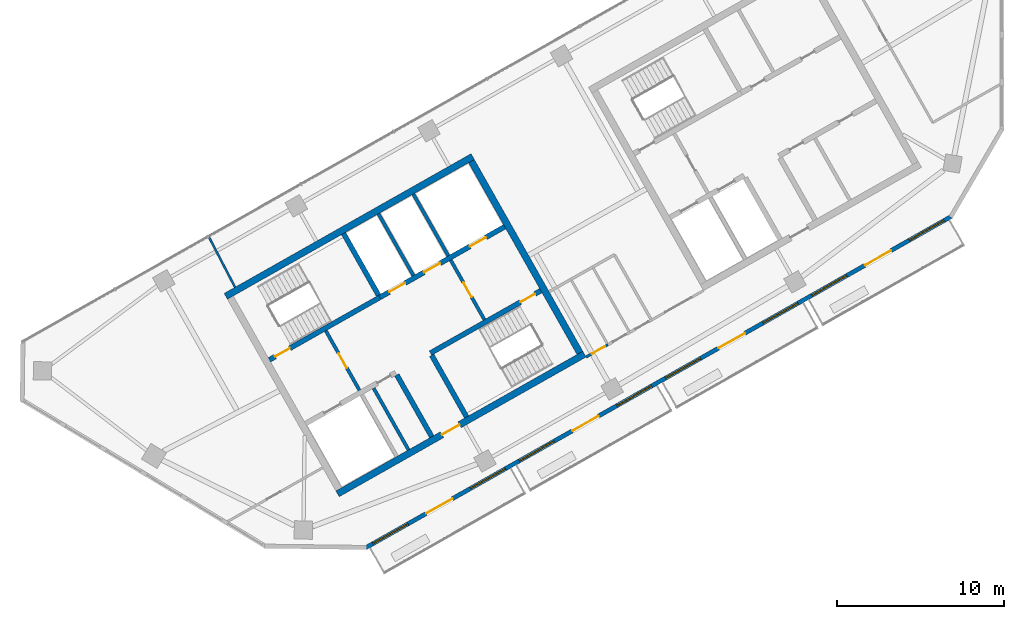
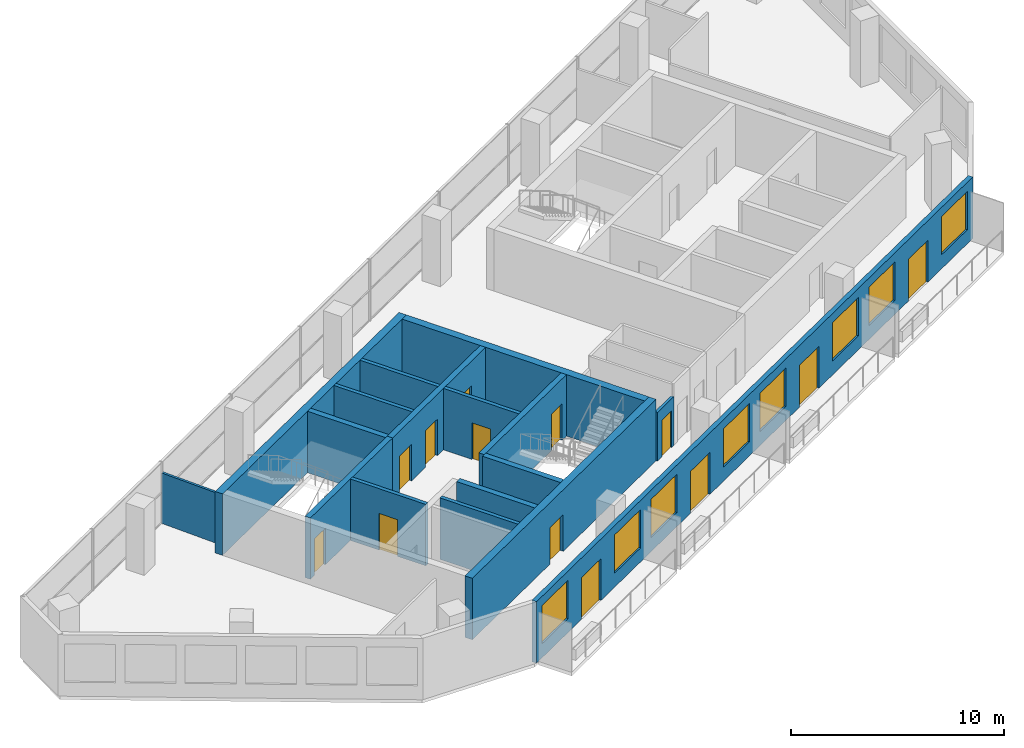
# One storey, part 6 of 10: 17 walls, 13 doors, 8 windows, 21 openings.
"""IFC4 building model written with IfcOpenShell, lengths in metres."""

from ifc_helpers import new_model, si_unit, direction, frame, frame_2d, origin, place, context, subcontext, project, spatial, rectangle, extrude, material, layer, layer_set, type_object, element, fill, save


model = new_model("IFC4")

# Units and contexts
model_context = context("Model", 3, precision=1e-05, world=origin(), true_north=direction((0.0, 1.0)))
body_context = subcontext(model_context, "Body", "Model", "MODEL_VIEW")
ifc_project = project(units=[si_unit("LENGTHUNIT", "METRE"), si_unit("AREAUNIT", "SQUARE_METRE"), si_unit("VOLUMEUNIT", "CUBIC_METRE"), si_unit("PLANEANGLEUNIT", "RADIAN"), si_unit("MASSUNIT", "GRAM", prefix="KILO")], contexts=[model_context])

# Site, building, storey
site_placement = place(None, origin())
site = spatial("IfcSite", under=ifc_project, at=site_placement, CompositionType="ELEMENT")
building_placement = place(site_placement, origin())
building = spatial("IfcBuilding", under=site, at=building_placement, Name="Binnacle Exchange Tower", CompositionType="ELEMENT")
storey_placement = place(building_placement, frame((0.0, 0.0, 320.300048828125)))
storey = spatial("IfcBuildingStorey", under=building, at=storey_placement, Name="L72", CompositionType="ELEMENT", Elevation=320.300048828125)

# Wall, openings, doors
ifc_material_1 = material(Name="Concrete C70/85", Category="concrete")
ifc_layer_1 = layer(ifc_material_1, 0.300048828125)
ifc_layer_set_1 = layer_set([ifc_layer_1], Name="Core wall - front 300")
wall_type_1 = type_object("IfcWallType", Name="Core wall - front 300", PredefinedType="SOLIDWALL", material=ifc_layer_set_1)
wall_1_placement = place(storey_placement, frame((-37.281982421875, 41.4345703125, 0.0), z_axis=(0.0, 0.0, 1.0), x_axis=(0.870361315115, 0.492413628113, 0.0)))
wall_1 = element("IfcWall", 1, at=wall_1_placement, inside=storey, type_object=wall_type_1, Name="Core wall CRWA5", PredefinedType="SOLIDWALL", context=body_context, shape_type="SweptSolid", body=[
    extrude(rectangle(XDim=8.599609375, YDim=0.300048828125, at=frame_2d((4.2998046875, 0.0))), origin(), (0.0, 0.0, 1.0), 3.52001953125),
])
opening_1_placement = place(wall_1_placement, frame((0.650146484375, 0.0, 0.0)))
opening_1 = element("IfcOpeningElement", 2, at=opening_1_placement, cuts=wall_1, Name="Opening LD9", PredefinedType="OPENING", context=body_context, shape_type="SweptSolid", body=[
    extrude(rectangle(XDim=1.10009765625, YDim=2.10009765625, at=frame_2d((0.550048828125, 1.050048828125))), frame((0.0, 0.159912109375, 0.0), z_axis=(0.0, -1.0, 0.0), x_axis=(1.0, 0.0, 0.0)), (0.0, 0.0, 1.0), 0.320068359375),
])
opening_2_placement = place(wall_1_placement, frame((3.050048828125, 0.0, 0.0)))
opening_2 = element("IfcOpeningElement", 3, at=opening_2_placement, cuts=wall_1, Name="Opening LD10", PredefinedType="OPENING", context=body_context, shape_type="SweptSolid", body=[
    extrude(rectangle(XDim=1.10009765625, YDim=2.10009765625, at=frame_2d((0.550048828125, 1.050048828125))), frame((0.0, 0.159912109375, 0.0), z_axis=(0.0, -1.0, 0.0), x_axis=(1.0, 0.0, 0.0)), (0.0, 0.0, 1.0), 0.320068359375),
])
opening_3_placement = place(wall_1_placement, frame((6.199951171875, 0.0, 0.0)))
opening_3 = element("IfcOpeningElement", 4, at=opening_3_placement, cuts=wall_1, Name="Opening LD13", PredefinedType="OPENING", context=body_context, shape_type="SweptSolid", body=[
    extrude(rectangle(XDim=1.10009765625, YDim=2.10009765625, at=frame_2d((0.550048828125, 1.050048828125))), frame((0.0, 0.159912109375, 0.0), z_axis=(0.0, -1.0, 0.0), x_axis=(1.0, 0.0, 0.0)), (0.0, 0.0, 1.0), 0.320068359375),
])
ifc_material_2 = material(Name="Steel door leaf", Category="steel")
door_type_1 = type_object("IfcDoorType", Name="Fire door - lift landing 1100", OperationType="NOTDEFINED", PredefinedType="DOOR", material=ifc_material_2)
door_1_placement = place(opening_1_placement, origin())
door_1 = element("IfcDoor", 5, at=door_1_placement, inside=storey, type_object=door_type_1, Name="Landing door LD9 L72", OperationType="DOUBLE_DOOR_SLIDING", OverallHeight=2.10009765625, OverallWidth=1.10009765625, PredefinedType="DOOR", context=body_context, shape_type="SweptSolid", body=[
    extrude(rectangle(XDim=1.10009765625, YDim=2.10009765625, at=frame_2d((0.550048828125, 1.050048828125))), frame((0.0, 0.02490234375, 0.0), z_axis=(0.0, -1.0, 0.0), x_axis=(1.0, 0.0, 0.0)), (0.0, 0.0, 1.0), 0.050048828125),
])
fill(opening_1, door_1)
door_2_placement = place(opening_2_placement, origin())
door_2 = element("IfcDoor", 6, at=door_2_placement, inside=storey, type_object=door_type_1, Name="Landing door LD10 L72", OperationType="DOUBLE_DOOR_SLIDING", OverallHeight=2.10009765625, OverallWidth=1.10009765625, PredefinedType="DOOR", context=body_context, shape_type="SweptSolid", body=[
    extrude(rectangle(XDim=1.10009765625, YDim=2.10009765625, at=frame_2d((0.550048828125, 1.050048828125))), frame((0.0, 0.02490234375, 0.0), z_axis=(0.0, -1.0, 0.0), x_axis=(1.0, 0.0, 0.0)), (0.0, 0.0, 1.0), 0.050048828125),
])
fill(opening_2, door_2)
door_3_placement = place(opening_3_placement, origin())
door_3 = element("IfcDoor", 7, at=door_3_placement, inside=storey, type_object=door_type_1, Name="Landing door LD13 L72", OperationType="DOUBLE_DOOR_SLIDING", OverallHeight=2.10009765625, OverallWidth=1.10009765625, PredefinedType="DOOR", context=body_context, shape_type="SweptSolid", body=[
    extrude(rectangle(XDim=1.10009765625, YDim=2.10009765625, at=frame_2d((0.550048828125, 1.050048828125))), frame((0.0, 0.02490234375, 0.0), z_axis=(0.0, -1.0, 0.0), x_axis=(1.0, 0.0, 0.0)), (0.0, 0.0, 1.0), 0.050048828125),
])
fill(opening_3, door_3)

# Wall
wall_2_placement = place(storey_placement, frame((-36.260009765625, 36.784912109375, 0.0), z_axis=(0.0, 0.0, 1.0), x_axis=(0.492422543467, -0.870356271124, 0.0)))
element("IfcWall", 8, at=wall_2_placement, inside=storey, type_object=wall_type_1, Name="Core wall CRWA13", PredefinedType="SOLIDWALL", context=body_context, shape_type="SweptSolid", body=[
    extrude(rectangle(XDim=4.25, YDim=0.300048828125, at=frame_2d((2.125, 0.0))), origin(), (0.0, 0.0, 1.0), 3.52001953125),
])

# Wall, opening, door
ifc_layer_2 = layer(ifc_material_1, 0.39990234375)
ifc_layer_set_2 = layer_set([ifc_layer_2], Name="Core wall - outer 400")
wall_type_2 = type_object("IfcWallType", Name="Core wall - outer 400", PredefinedType="SOLIDWALL", material=ifc_layer_set_2)
wall_3_placement = place(storey_placement, frame((-39.81298828125, 29.661865234375, 0.0), z_axis=(0.0, 0.0, 1.0), x_axis=(0.870350116061, 0.492433422375, 0.0)))
wall_3 = element("IfcWall", 9, at=wall_3_placement, inside=storey, type_object=wall_type_2, Name="Core wall CRWA1", PredefinedType="SOLIDWALL", context=body_context, shape_type="SweptSolid", body=[
    extrude(rectangle(XDim=17.0, YDim=0.39990234375, at=frame_2d((8.5, 0.0))), origin(), (0.0, 0.0, 1.0), 3.52001953125),
])
opening_4_placement = place(wall_3_placement, frame((7.199951171875, 0.0, 0.0)))
opening_4 = element("IfcOpeningElement", 10, at=opening_4_placement, cuts=wall_3, Name="Opening DA7", PredefinedType="OPENING", context=body_context, shape_type="SweptSolid", body=[
    extrude(rectangle(XDim=1.199951171875, YDim=2.10009765625, at=frame_2d((0.60009765625, 1.050048828125))), frame((0.0, 0.2099609375, 0.0), z_axis=(0.0, -1.0, 0.0), x_axis=(1.0, 0.0, 0.0)), (0.0, 0.0, 1.0), 0.419921875),
])
door_type_2 = type_object("IfcDoorType", Name="Fire door 1200", OperationType="NOTDEFINED", PredefinedType="DOOR", material=ifc_material_2)
door_4_placement = place(opening_4_placement, frame((1.199951171875, 0.0, 0.0), z_axis=(0.0, 0.0, 1.0), x_axis=(-1.0, 0.0, 0.0)))
door_4 = element("IfcDoor", 11, at=door_4_placement, inside=storey, type_object=door_type_2, Name="Lift lobby entrance door core A", OperationType="SINGLE_SWING_RIGHT", OverallHeight=2.10009765625, OverallWidth=1.199951171875, PredefinedType="DOOR", context=body_context, shape_type="SweptSolid", body=[
    extrude(rectangle(XDim=1.199951171875, YDim=2.10009765625, at=frame_2d((0.60009765625, 1.050048828125))), frame((0.0, 0.02490234375, 0.0), z_axis=(0.0, -1.0, 0.0), x_axis=(1.0, 0.0, 0.0)), (0.0, 0.0, 1.0), 0.050048828125),
])
fill(opening_4, door_4)

# Walls
wall_4_placement = place(storey_placement, frame((-46.510009765625, 41.498779296875, 0.0), z_axis=(0.0, 0.0, 1.0), x_axis=(0.870356271124, 0.492422543467, 0.0)))
element("IfcWall", 12, at=wall_4_placement, inside=storey, type_object=wall_type_2, Name="Core wall CRWA6", PredefinedType="SOLIDWALL", context=body_context, shape_type="SweptSolid", body=[
    extrude(rectangle(XDim=16.999755859375, YDim=0.39990234375, at=frame_2d((8.5, 0.0))), origin(), (0.0, 0.0, 1.0), 3.52001953125),
])
wall_5_placement = place(storey_placement, frame((-31.78955078125, 49.597412109375, 0.0), z_axis=(0.0, 0.0, 1.0), x_axis=(0.492421663121, -0.870356769198, 0.0)))
element("IfcWall", 13, at=wall_5_placement, inside=storey, type_object=wall_type_2, Name="Core wall CRWA22", PredefinedType="SOLIDWALL", context=body_context, shape_type="SweptSolid", body=[
    extrude(rectangle(XDim=13.199951171875, YDim=0.39990234375, at=frame_2d((6.60009765625, 0.0))), origin(), (0.0, 0.0, 1.0), 3.52001953125),
])

# Wall, opening, door
ifc_layer_3 = layer(ifc_material_1, 0.300048828125)
ifc_layer_set_3 = layer_set([ifc_layer_3], Name="Core wall - stair 300")
wall_type_3 = type_object("IfcWallType", Name="Core wall - stair 300", PredefinedType="SOLIDWALL", material=ifc_layer_set_3)
wall_6_placement = place(storey_placement, frame((-34.2451171875, 38.097412109375, 0.0), z_axis=(0.0, 0.0, 1.0), x_axis=(0.870356351998, 0.492422400523, 0.0)))
wall_6 = element("IfcWall", 14, at=wall_6_placement, inside=storey, type_object=wall_type_3, Name="Core wall CRWA3", PredefinedType="SOLIDWALL", context=body_context, shape_type="SweptSolid", body=[
    extrude(rectangle(XDim=7.60009765625, YDim=0.300048828125, at=frame_2d((3.800048828125, 0.0))), origin(), (0.0, 0.0, 1.0), 3.52001953125),
])
opening_5_placement = place(wall_6_placement, frame((6.199951171875, 0.0, 0.0)))
opening_5 = element("IfcOpeningElement", 15, at=opening_5_placement, cuts=wall_6, Name="Opening DA2", PredefinedType="OPENING", context=body_context, shape_type="SweptSolid", body=[
    extrude(rectangle(XDim=1.0, YDim=2.10009765625, at=frame_2d((0.5, 1.050048828125))), frame((0.0, 0.159912109375, 0.0), z_axis=(0.0, -1.0, 0.0), x_axis=(1.0, 0.0, 0.0)), (0.0, 0.0, 1.0), 0.320068359375),
])
door_type_3 = type_object("IfcDoorType", Name="Fire door 1000", OperationType="NOTDEFINED", PredefinedType="DOOR", material=ifc_material_2)
door_5_placement = place(opening_5_placement, frame((1.0, 0.0, 0.0), z_axis=(0.0, 0.0, 1.0), x_axis=(-1.0, 0.0, 0.0)))
door_5 = element("IfcDoor", 16, at=door_5_placement, inside=storey, type_object=door_type_3, Name="Stair door ST-A2", OperationType="SINGLE_SWING_LEFT", OverallHeight=2.10009765625, OverallWidth=1.0, PredefinedType="DOOR", context=body_context, shape_type="SweptSolid", body=[
    extrude(rectangle(XDim=1.0, YDim=2.10009765625, at=frame_2d((0.5, 1.050048828125))), frame((0.0, 0.02490234375, 0.0), z_axis=(0.0, -1.0, 0.0), x_axis=(1.0, 0.0, 0.0)), (0.0, 0.0, 1.0), 0.050048828125),
])
fill(opening_5, door_5)

wall_7_placement = place(storey_placement, frame((-43.896728515625, 37.692138671875, 0.0), z_axis=(0.0, 0.0, 1.0), x_axis=(0.870356351998, 0.492422400523, 0.0)))
wall_7 = element("IfcWall", 17, at=wall_7_placement, inside=storey, type_object=wall_type_3, Name="Core wall CRWA4", PredefinedType="SOLIDWALL", context=body_context, shape_type="SweptSolid", body=[
    extrude(rectangle(XDim=7.60009765625, YDim=0.300048828125, at=frame_2d((3.800048828125, 0.0))), origin(), (0.0, 0.0, 1.0), 3.52001953125),
])
opening_6_placement = place(wall_7_placement, frame((0.39990234375, 0.0, 0.0)))
opening_6 = element("IfcOpeningElement", 18, at=opening_6_placement, cuts=wall_7, Name="Opening DA1", PredefinedType="OPENING", context=body_context, shape_type="SweptSolid", body=[
    extrude(rectangle(XDim=1.0, YDim=2.10009765625, at=frame_2d((0.5, 1.050048828125))), frame((0.0, 0.159912109375, 0.0), z_axis=(0.0, -1.0, 0.0), x_axis=(1.0, 0.0, 0.0)), (0.0, 0.0, 1.0), 0.320068359375),
])
door_6_placement = place(opening_6_placement, origin())
door_6 = element("IfcDoor", 19, at=door_6_placement, inside=storey, type_object=door_type_3, Name="Stair door ST-A1", OperationType="SINGLE_SWING_LEFT", OverallHeight=2.10009765625, OverallWidth=1.0, PredefinedType="DOOR", context=body_context, shape_type="SweptSolid", body=[
    extrude(rectangle(XDim=1.0, YDim=2.10009765625, at=frame_2d((0.5, 1.050048828125))), frame((0.0, 0.02490234375, 0.0), z_axis=(0.0, -1.0, 0.0), x_axis=(1.0, 0.0, 0.0)), (0.0, 0.0, 1.0), 0.050048828125),
])
fill(opening_6, door_6)

# Walls
for number, where, z_axis, x_axis, name in (
    (20, (-39.44873046875, 45.263916015625, 0.0), (0.0, 0.0, 1.0), (0.492422543467, -0.870356271124, 0.0), "Core wall CRWA14"),
    (21, (-34.171142578125, 37.966796875, 0.0), (0.0, 0.0, 1.0), (0.492422543467, -0.870356271124, 0.0), "Core wall CRWA16"),
):
    element("IfcWall", number, at=place(storey_placement, frame(where, z_axis=z_axis, x_axis=x_axis)), inside=storey, type_object=wall_type_3, Name=name, PredefinedType="SOLIDWALL", context=body_context, shape_type="SweptSolid", body=[
        extrude(rectangle(XDim=4.25, YDim=0.300048828125, at=frame_2d((2.125, 0.0))), origin(), (0.0, 0.0, 1.0), 3.52001953125),
    ])

# Wall, openings, doors, windows
ifc_material_3 = material(Name="Bronze aluminium cladding", Category="aluminium")
ifc_layer_4 = layer(ifc_material_3, 0.25)
ifc_layer_set_4 = layer_set([ifc_layer_4], Name="External wall - window wall 250")
wall_type_4 = type_object("IfcWallType", Name="External wall - window wall 250", PredefinedType="STANDARD", material=ifc_layer_set_4)
wall_8_placement = place(storey_placement, frame((-3.016845703125, 46.293212890625, 0.0), z_axis=(0.0, 0.0, 1.0), x_axis=(-0.870355474887, -0.492423950812, 0.0)))
wall_8 = element("IfcWall", 22, at=wall_8_placement, inside=storey, type_object=wall_type_4, Name="External wall EW-H07 L72", PredefinedType="STANDARD", context=body_context, shape_type="SweptSolid", body=[
    extrude(rectangle(XDim=40.34033203125, YDim=0.25, at=frame_2d((20.170166015625, 0.0))), origin(), (0.0, 0.0, 1.0), 3.52001953125),
])
opening_7_placement = place(wall_8_placement, frame((37.428466796875, 0.0, 0.800048828125)))
opening_7 = element("IfcOpeningElement", 23, at=opening_7_placement, cuts=wall_8, Name="Opening WR2", PredefinedType="OPENING", context=body_context, shape_type="SweptSolid", body=[
    extrude(rectangle(XDim=2.39990234375, YDim=2.199951171875, at=frame_2d((1.199951171875, 1.10009765625))), frame((0.0, 0.135009765625, 0.0), z_axis=(0.0, -1.0, 0.0), x_axis=(1.0, 0.0, 0.0)), (0.0, 0.0, 1.0), 0.27001953125),
])
opening_8_placement = place(wall_8_placement, frame((34.372314453125, 0.0, 0.0)))
opening_8 = element("IfcOpeningElement", 24, at=opening_8_placement, cuts=wall_8, Name="Opening D-FS22-01", PredefinedType="OPENING", context=body_context, shape_type="SweptSolid", body=[
    extrude(rectangle(XDim=1.800048828125, YDim=2.39990234375, at=frame_2d((0.89990234375, 1.199951171875))), frame((0.0, 0.135009765625, 0.0), z_axis=(0.0, -1.0, 0.0), x_axis=(1.0, 0.0, 0.0)), (0.0, 0.0, 1.0), 0.27001953125),
])
opening_9_placement = place(wall_8_placement, frame((30.71630859375, 0.0, 0.800048828125)))
opening_9 = element("IfcOpeningElement", 25, at=opening_9_placement, cuts=wall_8, Name="Opening WR2", PredefinedType="OPENING", context=body_context, shape_type="SweptSolid", body=[
    extrude(rectangle(XDim=2.39990234375, YDim=2.199951171875, at=frame_2d((1.199951171875, 1.10009765625))), frame((0.0, 0.135009765625, 0.0), z_axis=(0.0, -1.0, 0.0), x_axis=(1.0, 0.0, 0.0)), (0.0, 0.0, 1.0), 0.27001953125),
])
opening_10_placement = place(wall_8_placement, frame((27.3603515625, 0.0, 0.800048828125)))
opening_10 = element("IfcOpeningElement", 26, at=opening_10_placement, cuts=wall_8, Name="Opening WR2", PredefinedType="OPENING", context=body_context, shape_type="SweptSolid", body=[
    extrude(rectangle(XDim=2.39990234375, YDim=2.199951171875, at=frame_2d((1.199951171875, 1.10009765625))), frame((0.0, 0.135009765625, 0.0), z_axis=(0.0, -1.0, 0.0), x_axis=(1.0, 0.0, 0.0)), (0.0, 0.0, 1.0), 0.27001953125),
])
opening_11_placement = place(wall_8_placement, frame((24.30419921875, 0.0, 0.0)))
opening_11 = element("IfcOpeningElement", 27, at=opening_11_placement, cuts=wall_8, Name="Opening D-FS22-02", PredefinedType="OPENING", context=body_context, shape_type="SweptSolid", body=[
    extrude(rectangle(XDim=1.800048828125, YDim=2.39990234375, at=frame_2d((0.89990234375, 1.199951171875))), frame((0.0, 0.135009765625, 0.0), z_axis=(0.0, -1.0, 0.0), x_axis=(1.0, 0.0, 0.0)), (0.0, 0.0, 1.0), 0.27001953125),
])
opening_12_placement = place(wall_8_placement, frame((20.648193359375, 0.0, 0.800048828125)))
opening_12 = element("IfcOpeningElement", 28, at=opening_12_placement, cuts=wall_8, Name="Opening WR2", PredefinedType="OPENING", context=body_context, shape_type="SweptSolid", body=[
    extrude(rectangle(XDim=2.39990234375, YDim=2.199951171875, at=frame_2d((1.199951171875, 1.10009765625))), frame((0.0, 0.135009765625, 0.0), z_axis=(0.0, -1.0, 0.0), x_axis=(1.0, 0.0, 0.0)), (0.0, 0.0, 1.0), 0.27001953125),
])
opening_13_placement = place(wall_8_placement, frame((17.2919921875, 0.0, 0.800048828125)))
opening_13 = element("IfcOpeningElement", 29, at=opening_13_placement, cuts=wall_8, Name="Opening WR2", PredefinedType="OPENING", context=body_context, shape_type="SweptSolid", body=[
    extrude(rectangle(XDim=2.39990234375, YDim=2.199951171875, at=frame_2d((1.199951171875, 1.10009765625))), frame((0.0, 0.135009765625, 0.0), z_axis=(0.0, -1.0, 0.0), x_axis=(1.0, 0.0, 0.0)), (0.0, 0.0, 1.0), 0.27001953125),
])
opening_14_placement = place(wall_8_placement, frame((14.236083984375, 0.0, 0.0)))
opening_14 = element("IfcOpeningElement", 30, at=opening_14_placement, cuts=wall_8, Name="Opening D-FS22-03", PredefinedType="OPENING", context=body_context, shape_type="SweptSolid", body=[
    extrude(rectangle(XDim=1.800048828125, YDim=2.39990234375, at=frame_2d((0.89990234375, 1.199951171875))), frame((0.0, 0.135009765625, 0.0), z_axis=(0.0, -1.0, 0.0), x_axis=(1.0, 0.0, 0.0)), (0.0, 0.0, 1.0), 0.27001953125),
])
opening_15_placement = place(wall_8_placement, frame((10.580078125, 0.0, 0.800048828125)))
opening_15 = element("IfcOpeningElement", 31, at=opening_15_placement, cuts=wall_8, Name="Opening WR2", PredefinedType="OPENING", context=body_context, shape_type="SweptSolid", body=[
    extrude(rectangle(XDim=2.39990234375, YDim=2.199951171875, at=frame_2d((1.199951171875, 1.10009765625))), frame((0.0, 0.135009765625, 0.0), z_axis=(0.0, -1.0, 0.0), x_axis=(1.0, 0.0, 0.0)), (0.0, 0.0, 1.0), 0.27001953125),
])
opening_16_placement = place(wall_8_placement, frame((7.223876953125, 0.0, 0.800048828125)))
opening_16 = element("IfcOpeningElement", 32, at=opening_16_placement, cuts=wall_8, Name="Opening WR2", PredefinedType="OPENING", context=body_context, shape_type="SweptSolid", body=[
    extrude(rectangle(XDim=2.39990234375, YDim=2.199951171875, at=frame_2d((1.199951171875, 1.10009765625))), frame((0.0, 0.135009765625, 0.0), z_axis=(0.0, -1.0, 0.0), x_axis=(1.0, 0.0, 0.0)), (0.0, 0.0, 1.0), 0.27001953125),
])
opening_17_placement = place(wall_8_placement, frame((4.16796875, 0.0, 0.0)))
opening_17 = element("IfcOpeningElement", 33, at=opening_17_placement, cuts=wall_8, Name="Opening D-FS22-04", PredefinedType="OPENING", context=body_context, shape_type="SweptSolid", body=[
    extrude(rectangle(XDim=1.800048828125, YDim=2.39990234375, at=frame_2d((0.89990234375, 1.199951171875))), frame((0.0, 0.135009765625, 0.0), z_axis=(0.0, -1.0, 0.0), x_axis=(1.0, 0.0, 0.0)), (0.0, 0.0, 1.0), 0.27001953125),
])
opening_18_placement = place(wall_8_placement, frame((0.51171875, 0.0, 0.800048828125)))
opening_18 = element("IfcOpeningElement", 34, at=opening_18_placement, cuts=wall_8, Name="Opening WR2", PredefinedType="OPENING", context=body_context, shape_type="SweptSolid", body=[
    extrude(rectangle(XDim=2.39990234375, YDim=2.199951171875, at=frame_2d((1.199951171875, 1.10009765625))), frame((0.0, 0.135009765625, 0.0), z_axis=(0.0, -1.0, 0.0), x_axis=(1.0, 0.0, 0.0)), (0.0, 0.0, 1.0), 0.27001953125),
])
ifc_material_4 = material(Name="Bronze anodised aluminium frame", Category="aluminium")
door_type_4 = type_object("IfcDoorType", Name="DB DOOR 1800x2400", OperationType="DOUBLE_DOOR_SINGLE_SWING", PredefinedType="DOOR", material=ifc_material_4)
door_7_placement = place(opening_8_placement, origin())
door_7 = element("IfcDoor", 35, at=door_7_placement, inside=storey, type_object=door_type_4, Name="Door D-FS22-01 L72", OperationType="DOUBLE_DOOR_SINGLE_SWING", OverallHeight=2.39990234375, OverallWidth=1.800048828125, PredefinedType="DOOR", context=body_context, shape_type="SweptSolid", body=[
    extrude(rectangle(XDim=1.800048828125, YDim=2.39990234375, at=frame_2d((0.89990234375, 1.199951171875))), frame((0.0, 0.02490234375, 0.0), z_axis=(0.0, -1.0, 0.0), x_axis=(1.0, 0.0, 0.0)), (0.0, 0.0, 1.0), 0.050048828125),
])
fill(opening_8, door_7)
door_8_placement = place(opening_11_placement, origin())
door_8 = element("IfcDoor", 36, at=door_8_placement, inside=storey, type_object=door_type_4, Name="Door D-FS22-02 L72", OperationType="DOUBLE_DOOR_SINGLE_SWING", OverallHeight=2.39990234375, OverallWidth=1.800048828125, PredefinedType="DOOR", context=body_context, shape_type="SweptSolid", body=[
    extrude(rectangle(XDim=1.800048828125, YDim=2.39990234375, at=frame_2d((0.89990234375, 1.199951171875))), frame((0.0, 0.02490234375, 0.0), z_axis=(0.0, -1.0, 0.0), x_axis=(1.0, 0.0, 0.0)), (0.0, 0.0, 1.0), 0.050048828125),
])
fill(opening_11, door_8)
door_9_placement = place(opening_14_placement, origin())
door_9 = element("IfcDoor", 37, at=door_9_placement, inside=storey, type_object=door_type_4, Name="Door D-FS22-03 L72", OperationType="DOUBLE_DOOR_SINGLE_SWING", OverallHeight=2.39990234375, OverallWidth=1.800048828125, PredefinedType="DOOR", context=body_context, shape_type="SweptSolid", body=[
    extrude(rectangle(XDim=1.800048828125, YDim=2.39990234375, at=frame_2d((0.89990234375, 1.199951171875))), frame((0.0, 0.02490234375, 0.0), z_axis=(0.0, -1.0, 0.0), x_axis=(1.0, 0.0, 0.0)), (0.0, 0.0, 1.0), 0.050048828125),
])
fill(opening_14, door_9)
door_10_placement = place(opening_17_placement, origin())
door_10 = element("IfcDoor", 38, at=door_10_placement, inside=storey, type_object=door_type_4, Name="Door D-FS22-04 L72", OperationType="DOUBLE_DOOR_SINGLE_SWING", OverallHeight=2.39990234375, OverallWidth=1.800048828125, PredefinedType="DOOR", context=body_context, shape_type="SweptSolid", body=[
    extrude(rectangle(XDim=1.800048828125, YDim=2.39990234375, at=frame_2d((0.89990234375, 1.199951171875))), frame((0.0, 0.02490234375, 0.0), z_axis=(0.0, -1.0, 0.0), x_axis=(1.0, 0.0, 0.0)), (0.0, 0.0, 1.0), 0.050048828125),
])
fill(opening_17, door_10)
window_type = type_object("IfcWindowType", Name="WR2 WINDOW 2400x2200", PartitioningType="SINGLE_PANEL", PredefinedType="WINDOW", material=ifc_material_4)
window_1_placement = place(opening_7_placement, origin())
window_1 = element("IfcWindow", 39, at=window_1_placement, inside=storey, type_object=window_type, Name="Window WR2 L72", OverallHeight=2.199951171875, OverallWidth=2.39990234375, PartitioningType="SINGLE_PANEL", PredefinedType="WINDOW", context=body_context, shape_type="SweptSolid", body=[
    extrude(rectangle(XDim=2.39990234375, YDim=2.199951171875, at=frame_2d((1.199951171875, 1.10009765625))), frame((0.0, 0.030029296875, 0.0), z_axis=(0.0, -1.0, 0.0), x_axis=(1.0, 0.0, 0.0)), (0.0, 0.0, 1.0), 0.06005859375),
])
fill(opening_7, window_1)
window_2_placement = place(opening_9_placement, origin())
window_2 = element("IfcWindow", 40, at=window_2_placement, inside=storey, type_object=window_type, Name="Window WR2 L72", OverallHeight=2.199951171875, OverallWidth=2.39990234375, PartitioningType="SINGLE_PANEL", PredefinedType="WINDOW", context=body_context, shape_type="SweptSolid", body=[
    extrude(rectangle(XDim=2.39990234375, YDim=2.199951171875, at=frame_2d((1.199951171875, 1.10009765625))), frame((0.0, 0.030029296875, 0.0), z_axis=(0.0, -1.0, 0.0), x_axis=(1.0, 0.0, 0.0)), (0.0, 0.0, 1.0), 0.06005859375),
])
fill(opening_9, window_2)
window_3_placement = place(opening_10_placement, origin())
window_3 = element("IfcWindow", 41, at=window_3_placement, inside=storey, type_object=window_type, Name="Window WR2 L72", OverallHeight=2.199951171875, OverallWidth=2.39990234375, PartitioningType="SINGLE_PANEL", PredefinedType="WINDOW", context=body_context, shape_type="SweptSolid", body=[
    extrude(rectangle(XDim=2.39990234375, YDim=2.199951171875, at=frame_2d((1.199951171875, 1.10009765625))), frame((0.0, 0.030029296875, 0.0), z_axis=(0.0, -1.0, 0.0), x_axis=(1.0, 0.0, 0.0)), (0.0, 0.0, 1.0), 0.06005859375),
])
fill(opening_10, window_3)
window_4_placement = place(opening_12_placement, origin())
window_4 = element("IfcWindow", 42, at=window_4_placement, inside=storey, type_object=window_type, Name="Window WR2 L72", OverallHeight=2.199951171875, OverallWidth=2.39990234375, PartitioningType="SINGLE_PANEL", PredefinedType="WINDOW", context=body_context, shape_type="SweptSolid", body=[
    extrude(rectangle(XDim=2.39990234375, YDim=2.199951171875, at=frame_2d((1.199951171875, 1.10009765625))), frame((0.0, 0.030029296875, 0.0), z_axis=(0.0, -1.0, 0.0), x_axis=(1.0, 0.0, 0.0)), (0.0, 0.0, 1.0), 0.06005859375),
])
fill(opening_12, window_4)
window_5_placement = place(opening_13_placement, origin())
window_5 = element("IfcWindow", 43, at=window_5_placement, inside=storey, type_object=window_type, Name="Window WR2 L72", OverallHeight=2.199951171875, OverallWidth=2.39990234375, PartitioningType="SINGLE_PANEL", PredefinedType="WINDOW", context=body_context, shape_type="SweptSolid", body=[
    extrude(rectangle(XDim=2.39990234375, YDim=2.199951171875, at=frame_2d((1.199951171875, 1.10009765625))), frame((0.0, 0.030029296875, 0.0), z_axis=(0.0, -1.0, 0.0), x_axis=(1.0, 0.0, 0.0)), (0.0, 0.0, 1.0), 0.06005859375),
])
fill(opening_13, window_5)
window_6_placement = place(opening_15_placement, origin())
window_6 = element("IfcWindow", 44, at=window_6_placement, inside=storey, type_object=window_type, Name="Window WR2 L72", OverallHeight=2.199951171875, OverallWidth=2.39990234375, PartitioningType="SINGLE_PANEL", PredefinedType="WINDOW", context=body_context, shape_type="SweptSolid", body=[
    extrude(rectangle(XDim=2.39990234375, YDim=2.199951171875, at=frame_2d((1.199951171875, 1.10009765625))), frame((0.0, 0.030029296875, 0.0), z_axis=(0.0, -1.0, 0.0), x_axis=(1.0, 0.0, 0.0)), (0.0, 0.0, 1.0), 0.06005859375),
])
fill(opening_15, window_6)
window_7_placement = place(opening_16_placement, origin())
window_7 = element("IfcWindow", 45, at=window_7_placement, inside=storey, type_object=window_type, Name="Window WR2 L72", OverallHeight=2.199951171875, OverallWidth=2.39990234375, PartitioningType="SINGLE_PANEL", PredefinedType="WINDOW", context=body_context, shape_type="SweptSolid", body=[
    extrude(rectangle(XDim=2.39990234375, YDim=2.199951171875, at=frame_2d((1.199951171875, 1.10009765625))), frame((0.0, 0.030029296875, 0.0), z_axis=(0.0, -1.0, 0.0), x_axis=(1.0, 0.0, 0.0)), (0.0, 0.0, 1.0), 0.06005859375),
])
fill(opening_16, window_7)
window_8_placement = place(opening_18_placement, origin())
window_8 = element("IfcWindow", 46, at=window_8_placement, inside=storey, type_object=window_type, Name="Window WR2 L72", OverallHeight=2.199951171875, OverallWidth=2.39990234375, PartitioningType="SINGLE_PANEL", PredefinedType="WINDOW", context=body_context, shape_type="SweptSolid", body=[
    extrude(rectangle(XDim=2.39990234375, YDim=2.199951171875, at=frame_2d((1.199951171875, 1.10009765625))), frame((0.0, 0.030029296875, 0.0), z_axis=(0.0, -1.0, 0.0), x_axis=(1.0, 0.0, 0.0)), (0.0, 0.0, 1.0), 0.06005859375),
])
fill(opening_18, window_8)

# Wall, opening, door
ifc_material_5 = material(Name="Masonry block wall", Category="masonry")
ifc_layer_5 = layer(ifc_material_5, 0.199951171875)
ifc_layer_set_5 = layer_set([ifc_layer_5], Name="Fire wall - vestibule 200")
wall_type_5 = type_object("IfcWallType", Name="Fire wall - vestibule 200", PredefinedType="PARTITIONING", material=ifc_layer_set_5)
wall_9_placement = place(storey_placement, frame((-40.515625, 39.4326171875, 0.0), z_axis=(0.0, 0.0, 1.0), x_axis=(0.492453559952, -0.87033872216, 0.0)))
wall_9 = element("IfcWall", 47, at=wall_9_placement, inside=storey, type_object=wall_type_5, Name="Core wall CRWA10", PredefinedType="PARTITIONING", context=body_context, shape_type="SweptSolid", body=[
    extrude(rectangle(XDim=4.099853515625, YDim=0.199951171875, at=frame_2d((2.0498046875, 0.0))), origin(), (0.0, 0.0, 1.0), 3.52001953125),
])
opening_19_placement = place(wall_9_placement, frame((1.550048828125, 0.0, 0.0)))
opening_19 = element("IfcOpeningElement", 48, at=opening_19_placement, cuts=wall_9, Name="Opening DA3", PredefinedType="OPENING", context=body_context, shape_type="SweptSolid", body=[
    extrude(rectangle(XDim=1.0, YDim=2.10009765625, at=frame_2d((0.5, 1.050048828125))), frame((0.0, 0.10986328125, 0.0), z_axis=(0.0, -1.0, 0.0), x_axis=(1.0, 0.0, 0.0)), (0.0, 0.0, 1.0), 0.219970703125),
])
door_11_placement = place(opening_19_placement, frame((1.0, 0.0, 0.0), z_axis=(0.0, 0.0, 1.0), x_axis=(-1.0, 0.0, 0.0)))
door_11 = element("IfcDoor", 49, at=door_11_placement, inside=storey, type_object=door_type_3, Name="Vestibule door VEST-W", OperationType="SINGLE_SWING_LEFT", OverallHeight=2.10009765625, OverallWidth=1.0, PredefinedType="DOOR", context=body_context, shape_type="SweptSolid", body=[
    extrude(rectangle(XDim=1.0, YDim=2.10009765625, at=frame_2d((0.5, 1.050048828125))), frame((0.0, 0.02490234375, 0.0), z_axis=(0.0, -1.0, 0.0), x_axis=(1.0, 0.0, 0.0)), (0.0, 0.0, 1.0), 0.050048828125),
])
fill(opening_19, door_11)

wall_10_placement = place(storey_placement, frame((-33.030517578125, 43.66748046875, 0.0), z_axis=(0.0, 0.0, 1.0), x_axis=(0.492408451753, -0.87036424366, 0.0)))
wall_10 = element("IfcWall", 50, at=wall_10_placement, inside=storey, type_object=wall_type_5, Name="Core wall CRWA19", PredefinedType="PARTITIONING", context=body_context, shape_type="SweptSolid", body=[
    extrude(rectangle(XDim=4.099853515625, YDim=0.199951171875, at=frame_2d((2.0498046875, 0.0))), origin(), (0.0, 0.0, 1.0), 3.52001953125),
])
opening_20_placement = place(wall_10_placement, frame((1.550048828125, 0.0, 0.0)))
opening_20 = element("IfcOpeningElement", 51, at=opening_20_placement, cuts=wall_10, Name="Opening DA4", PredefinedType="OPENING", context=body_context, shape_type="SweptSolid", body=[
    extrude(rectangle(XDim=1.0, YDim=2.10009765625, at=frame_2d((0.5, 1.050048828125))), frame((0.0, 0.10986328125, 0.0), z_axis=(0.0, -1.0, 0.0), x_axis=(1.0, 0.0, 0.0)), (0.0, 0.0, 1.0), 0.219970703125),
])
door_12_placement = place(opening_20_placement, origin())
door_12 = element("IfcDoor", 52, at=door_12_placement, inside=storey, type_object=door_type_3, Name="Vestibule door VEST-E", OperationType="SINGLE_SWING_RIGHT", OverallHeight=2.10009765625, OverallWidth=1.0, PredefinedType="DOOR", context=body_context, shape_type="SweptSolid", body=[
    extrude(rectangle(XDim=1.0, YDim=2.10009765625, at=frame_2d((0.5, 1.050048828125))), frame((0.0, 0.02490234375, 0.0), z_axis=(0.0, -1.0, 0.0), x_axis=(1.0, 0.0, 0.0)), (0.0, 0.0, 1.0), 0.050048828125),
])
fill(opening_20, door_12)

ifc_material_6 = material(Name="Gypsum partition fire rated")
ifc_layer_6 = layer(ifc_material_6, 0.14990234375)
ifc_layer_set_6 = layer_set([ifc_layer_6], Name="Fire-rated partition 150")
wall_type_6 = type_object("IfcWallType", Name="Fire-rated partition 150", PredefinedType="PARTITIONING", material=ifc_layer_set_6)
wall_11_placement = place(storey_placement, frame((-24.9189453125, 37.85888671875, 0.0), z_axis=(0.0, 0.0, 1.0), x_axis=(0.870308175411, 0.492507542899, 0.0)))
wall_11 = element("IfcWall", 53, at=wall_11_placement, inside=storey, type_object=wall_type_6, Name="Partition W06", PredefinedType="PARTITIONING", context=body_context, shape_type="SweptSolid", body=[
    extrude(rectangle(XDim=1.50048828125, YDim=0.14990234375, at=frame_2d((0.750244140625, 0.0))), origin(), (0.0, 0.0, 1.0), 2.7919921875),
])
opening_21_placement = place(wall_11_placement, frame((0.39990234375, 0.0, 0.0)))
opening_21 = element("IfcOpeningElement", 54, at=opening_21_placement, cuts=wall_11, Name="Opening DL71-02", PredefinedType="OPENING", context=body_context, shape_type="SweptSolid", body=[
    extrude(rectangle(XDim=0.89990234375, YDim=2.10009765625, at=frame_2d((0.449951171875, 1.050048828125))), frame((0.0, 0.0849609375, 0.0), z_axis=(0.0, -1.0, 0.0), x_axis=(1.0, 0.0, 0.0)), (0.0, 0.0, 1.0), 0.169921875),
])
door_type_5 = type_object("IfcDoorType", Name="Fire door 900", OperationType="NOTDEFINED", PredefinedType="DOOR", material=ifc_material_2)
door_13_placement = place(opening_21_placement, origin())
door_13 = element("IfcDoor", 55, at=door_13_placement, inside=storey, type_object=door_type_5, Name="Door DL71-02", OperationType="SINGLE_SWING_RIGHT", OverallHeight=2.10009765625, OverallWidth=0.89990234375, PredefinedType="DOOR", context=body_context, shape_type="SweptSolid", body=[
    extrude(rectangle(XDim=0.89990234375, YDim=2.10009765625, at=frame_2d((0.449951171875, 1.050048828125))), frame((0.0, 0.02490234375, 0.0), z_axis=(0.0, -1.0, 0.0), x_axis=(1.0, 0.0, 0.0)), (0.0, 0.0, 1.0), 0.050048828125),
])
fill(opening_21, door_13)

# Walls
ifc_material_7 = material(Name="Gypsum partition")
ifc_layer_7 = layer(ifc_material_7, 0.125)
ifc_layer_set_7 = layer_set([ifc_layer_7], Name="Partition 125")
wall_type_7 = type_object("IfcWallType", Name="Partition 125", PredefinedType="PARTITIONING", material=ifc_layer_set_7)
wall_12_placement = place(storey_placement, frame((-47.51708984375, 45.047119140625, 0.0), z_axis=(0.0, 0.0, 1.0), x_axis=(0.460973607079, -0.887413845721, 0.0)))
element("IfcWall", 56, at=wall_12_placement, inside=storey, type_object=wall_type_7, Name="Partition W01", PredefinedType="PARTITIONING", context=body_context, shape_type="SweptSolid", body=[
    extrude(rectangle(XDim=3.386474609375, YDim=0.125, at=frame_2d((1.693359375, 0.0))), origin(), (0.0, 0.0, 1.0), 2.887939453125),
])
ifc_layer_8 = layer(ifc_material_5, 0.199951171875)
ifc_layer_set_8 = layer_set([ifc_layer_8], Name="Riser wall 200")
wall_type_8 = type_object("IfcWallType", Name="Riser wall 200", PredefinedType="SOLIDWALL", material=ifc_layer_set_8)
wall_13_placement = place(storey_placement, frame((-37.652587890625, 35.9970703125, 0.0), z_axis=(0.0, 0.0, 1.0), x_axis=(0.492422543467, -0.870356271124, 0.0)))
element("IfcWall", 57, at=wall_13_placement, inside=storey, type_object=wall_type_8, Name="Core wall CRWA11", PredefinedType="SOLIDWALL", context=body_context, shape_type="SweptSolid", body=[
    extrude(rectangle(XDim=4.25, YDim=0.199951171875, at=frame_2d((2.125, 0.0))), origin(), (0.0, 0.0, 1.0), 3.52001953125),
])
ifc_layer_9 = layer(ifc_material_5, 0.199951171875)
ifc_layer_set_9 = layer_set([ifc_layer_9], Name="Shaft wall 200")
wall_type_9 = type_object("IfcWallType", Name="Shaft wall 200", PredefinedType="SOLIDWALL", material=ifc_layer_set_9)
for number, where, z_axis, x_axis, name in (
    (58, (-37.35986328125, 46.44580078125, 0.0), (0.0, 0.0, 1.0), (0.492422543467, -0.870356271124, 0.0), "Core wall CRWA17"),
    (59, (-35.27099609375, 47.627685546875, 0.0), (0.0, 0.0, 1.0), (0.492422543467, -0.870356271124, 0.0), "Core wall CRWA21"),
):
    element("IfcWall", number, at=place(storey_placement, frame(where, z_axis=z_axis, x_axis=x_axis)), inside=storey, type_object=wall_type_9, Name=name, PredefinedType="SOLIDWALL", context=body_context, shape_type="SweptSolid", body=[
        extrude(rectangle(XDim=4.25, YDim=0.199951171875, at=frame_2d((2.125, 0.0))), origin(), (0.0, 0.0, 1.0), 3.52001953125),
    ])

save(model, "model.ifc")
